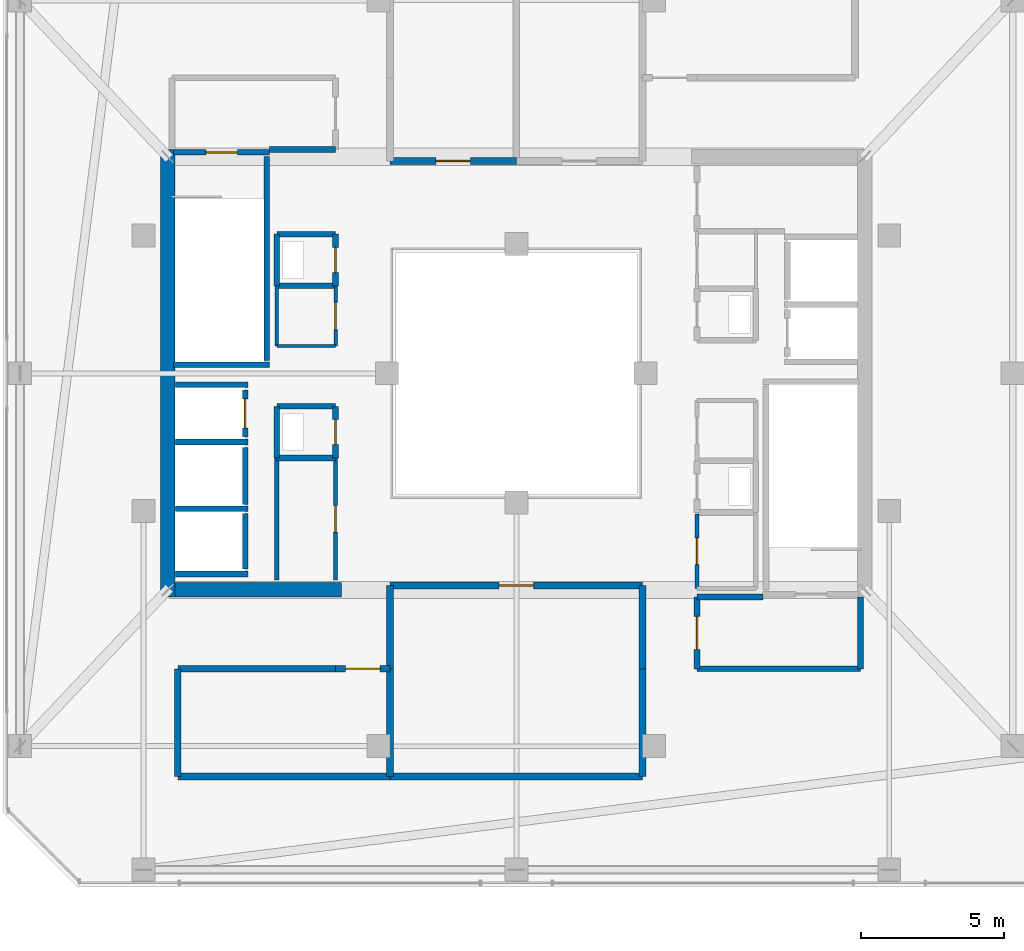
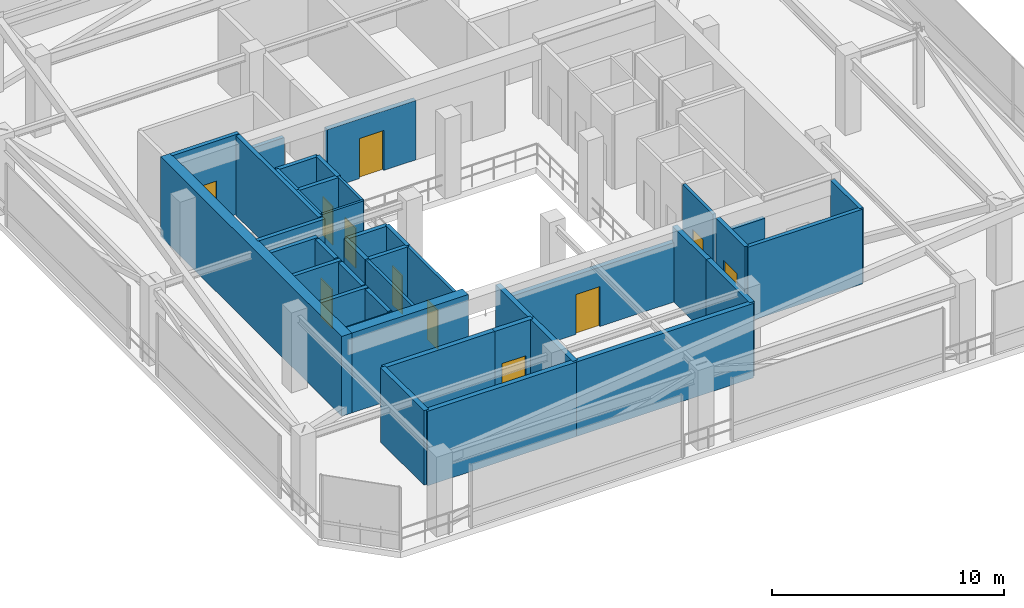
# One storey, part 43 of 47: 42 walls, 11 doors, 11 openings.
"""IFC4 building model written with IfcOpenShell, lengths in metres."""

from ifc_helpers import new_model, si_unit, direction, frame, frame_2d, origin, place, context, subcontext, project, spatial, rectangle, extrude, material, layer, layer_set, type_object, element, fill, save


model = new_model("IFC4")

# Units and contexts
model_context = context("Model", 3, precision=1e-05, world=origin(), true_north=direction((0.0, 1.0)))
body_context = subcontext(model_context, "Body", "Model", "MODEL_VIEW")
ifc_project = project(units=[si_unit("LENGTHUNIT", "METRE"), si_unit("AREAUNIT", "SQUARE_METRE"), si_unit("VOLUMEUNIT", "CUBIC_METRE"), si_unit("PLANEANGLEUNIT", "RADIAN"), si_unit("MASSUNIT", "GRAM", prefix="KILO")], contexts=[model_context])

# Site, building, storey
site_placement = place(None, origin())
site = spatial("IfcSite", under=ifc_project, at=site_placement, CompositionType="ELEMENT")
building_placement = place(site_placement, origin())
building = spatial("IfcBuilding", under=site, at=building_placement, Name="Thornwick Lancets Civic Towers", CompositionType="ELEMENT")
storey_placement = place(building_placement, frame((0.0, 0.0, 279.89990234375)))
storey = spatial("IfcBuildingStorey", under=building, at=storey_placement, Name="C01", CompositionType="ELEMENT", Elevation=279.89990234375)

# Wall, opening, door
ifc_material_1 = material(Name="Concrete blockwork C40/50", Category="masonry")
ifc_layer_1 = layer(ifc_material_1, 0.199951171875, Name="Concrete blockwork C40/50")
ifc_layer_set_1 = layer_set([ifc_layer_1], Name="Concrete blockwork C40/50")
wall_type_1 = type_object("IfcWallType", Name="WALL_COMP_200", PredefinedType="STANDARD", material=ifc_layer_set_1)
wall_1_placement = place(storey_placement, frame((79.050048828125, 24.780029296875, 0.0), z_axis=(0.0, 0.0, 1.0), x_axis=(0.0, 1.0, 0.0)))
wall_1 = element("IfcWall", 1, at=wall_1_placement, inside=storey, type_object=wall_type_1, Name="C01 Hoistway Front Wall FL-B2", PredefinedType="STANDARD", context=body_context, shape_type="SweptSolid", body=[
    extrude(rectangle(XDim=1.639892578125, YDim=0.199951171875, at=frame_2d((0.81982421875, 0.0))), origin(), (0.0, 0.0, 1.0), 3.920166015625),
])
opening_1_placement = place(wall_1_placement, frame((0.31005859375, 0.0, 0.0)))
opening_1 = element("IfcOpeningElement", 2, at=opening_1_placement, cuts=wall_1, Name="Opening LD-FL-B2", PredefinedType="OPENING", context=body_context, shape_type="SweptSolid", body=[
    extrude(rectangle(XDim=1.02001953125, YDim=2.06005859375, at=frame_2d((0.510009765625, 1.030029296875))), frame((0.0, 0.10986328125, 0.0), z_axis=(0.0, -1.0, 0.0), x_axis=(1.0, 0.0, 0.0)), (0.0, 0.0, 1.0), 0.219970703125),
])
ifc_material_2 = material(Name="Brushed bronze stainless steel", Category="steel")
door_type_1 = type_object("IfcDoorType", Name="DOOR_LIFT_SLIDE", OperationType="SLIDING_TO_LEFT", PredefinedType="DOOR", material=ifc_material_2)
door_1_placement = place(opening_1_placement, origin())
door_1 = element("IfcDoor", 3, at=door_1_placement, inside=storey, type_object=door_type_1, Name="C01 Sliding Lift Landing Door LD-FL-B2", OperationType="SLIDING_TO_LEFT", OverallHeight=2.06005859375, OverallWidth=1.02001953125, PredefinedType="DOOR", context=body_context, shape_type="SweptSolid", body=[
    extrude(rectangle(XDim=1.02001953125, YDim=2.06005859375, at=frame_2d((0.510009765625, 1.030029296875))), frame((0.0, 0.02490234375, 0.0), z_axis=(0.0, -1.0, 0.0), x_axis=(1.0, 0.0, 0.0)), (0.0, 0.0, 1.0), 0.050048828125),
])
fill(opening_1, door_1)

# Walls
wall_2_placement = place(storey_placement, frame((79.050048828125, 22.429931640625, 0.0), z_axis=(0.0, 0.0, 1.0), x_axis=(0.0, 1.0, 0.0)))
element("IfcWall", 4, at=wall_2_placement, inside=storey, type_object=wall_type_1, Name="C01 Hoistway Front Wall PL-BH2", PredefinedType="STANDARD", context=body_context, shape_type="SweptSolid", body=[
    extrude(rectangle(XDim=1.989990234375, YDim=0.199951171875, at=frame_2d((0.9951171875, 0.0))), origin(), (0.0, 0.0, 1.0), 3.920166015625),
])
wall_3_placement = place(storey_placement, frame((79.050048828125, 20.179931640625, 0.0), z_axis=(0.0, 0.0, 1.0), x_axis=(0.0, 1.0, 0.0)))
element("IfcWall", 5, at=wall_3_placement, inside=storey, type_object=wall_type_1, Name="C01 Hoistway Front Wall PL-BH3", PredefinedType="STANDARD", context=body_context, shape_type="SweptSolid", body=[
    extrude(rectangle(XDim=1.940185546875, YDim=0.199951171875, at=frame_2d((0.97021484375, 0.0))), origin(), (0.0, 0.0, 1.0), 3.920166015625),
])
for number, where, z_axis, x_axis, name in (
    (6, (76.612060546875, 26.60009765625, 0.0), (0.0, 0.0, 1.0), (1.0, 0.0, 0.0), "C01 Hoistway Shaft Wall FL-B2 N"),
    (7, (76.612060546875, 24.60009765625, 0.0), (0.0, 0.0, 1.0), (1.0, 0.0, 0.0), "C01 Hoistway Shaft Wall FL-B2 S"),
    (8, (76.612060546875, 22.27490234375, 0.0), (0.0, 0.0, 1.0), (1.0, 0.0, 0.0), "C01 Hoistway Shaft Wall PL-BH2 S"),
    (9, (76.612060546875, 20.0, 0.0), (0.0, 0.0, 1.0), (1.0, 0.0, 0.0), "C01 Hoistway Shaft Wall PL-BH3 S"),
):
    element("IfcWall", number, at=place(storey_placement, frame(where, z_axis=z_axis, x_axis=x_axis)), inside=storey, type_object=wall_type_1, Name=name, PredefinedType="STANDARD", context=body_context, shape_type="SweptSolid", body=[
        extrude(rectangle(XDim=2.535888671875, YDim=0.199951171875, at=frame_2d((1.26806640625, 0.0))), origin(), (0.0, 0.0, 1.0), 3.920166015625),
    ])
wall_4_placement = place(storey_placement, frame((94.800048828125, 16.699951171875, 0.0), z_axis=(0.0, 0.0, 1.0), x_axis=(1.0, 0.0, 0.0)))
element("IfcWall", 10, at=wall_4_placement, inside=storey, type_object=wall_type_1, Name="C01 Partition C01-B-FFLOB1 E1", PredefinedType="STANDARD", context=body_context, shape_type="SweptSolid", body=[
    extrude(rectangle(XDim=5.699951171875, YDim=0.199951171875, at=frame_2d((2.85009765625, 0.0))), origin(), (0.0, 0.0, 1.0), 3.920166015625),
])
wall_5_placement = place(storey_placement, frame((100.5, 16.699951171875, 0.0), z_axis=(0.0, 0.0, 1.0), x_axis=(0.0, 1.0, 0.0)))
element("IfcWall", 11, at=wall_5_placement, inside=storey, type_object=wall_type_1, Name="C01 Partition C01-B-FFLOB1 E2", PredefinedType="STANDARD", context=body_context, shape_type="SweptSolid", body=[
    extrude(rectangle(XDim=2.5, YDim=0.199951171875, at=frame_2d((1.25, 0.0))), origin(), (0.0, 0.0, 1.0), 3.920166015625),
])
wall_6_placement = place(storey_placement, frame((97.10009765625, 19.199951171875, 0.0), z_axis=(0.0, 0.0, 1.0), x_axis=(-1.0, 0.0, 0.0)))
element("IfcWall", 12, at=wall_6_placement, inside=storey, type_object=wall_type_1, Name="C01 Partition C01-B-FFLOB1 E3", PredefinedType="STANDARD", context=body_context, shape_type="SweptSolid", body=[
    extrude(rectangle(XDim=2.300048828125, YDim=0.199951171875, at=frame_2d((1.14990234375, 0.0))), origin(), (0.0, 0.0, 1.0), 3.125),
])

# Wall, opening, door
wall_7_placement = place(storey_placement, frame((94.800048828125, 19.199951171875, 0.0), z_axis=(0.0, 0.0, 1.0), x_axis=(0.0, -1.0, 0.0)))
wall_7 = element("IfcWall", 13, at=wall_7_placement, inside=storey, type_object=wall_type_1, Name="C01 Partition C01-B-FFLOB1 E4", PredefinedType="STANDARD", context=body_context, shape_type="SweptSolid", body=[
    extrude(rectangle(XDim=2.5, YDim=0.199951171875, at=frame_2d((1.25, 0.0))), origin(), (0.0, 0.0, 1.0), 3.920166015625),
])
opening_2_placement = place(wall_7_placement, frame((0.675048828125, 0.0, 0.0)))
opening_2 = element("IfcOpeningElement", 14, at=opening_2_placement, cuts=wall_7, Name="Opening D-C01-3457", PredefinedType="OPENING", context=body_context, shape_type="SweptSolid", body=[
    extrude(rectangle(XDim=1.14990234375, YDim=2.10009765625, at=frame_2d((0.574951171875, 1.050048828125))), frame((0.0, 0.10986328125, 0.0), z_axis=(0.0, -1.0, 0.0), x_axis=(1.0, 0.0, 0.0)), (0.0, 0.0, 1.0), 0.219970703125),
])
ifc_material_3 = material(Name="Glazed fire-resisting steel", Category="steel")
door_type_2 = type_object("IfcDoorType", Name="DOOR_LOBBY_FD60", OperationType="NOTDEFINED", PredefinedType="DOOR", material=ifc_material_3)
door_2_placement = place(opening_2_placement, origin())
door_2 = element("IfcDoor", 15, at=door_2_placement, inside=storey, type_object=door_type_2, Name="C01 East Firefighting Lobby 1 Door", OperationType="SINGLE_SWING_RIGHT", OverallHeight=2.10009765625, OverallWidth=1.14990234375, PredefinedType="DOOR", context=body_context, shape_type="SweptSolid", body=[
    extrude(rectangle(XDim=1.14990234375, YDim=2.10009765625, at=frame_2d((0.574951171875, 1.050048828125))), frame((0.0, 0.02490234375, 0.0), z_axis=(0.0, -1.0, 0.0), x_axis=(1.0, 0.0, 0.0)), (0.0, 0.0, 1.0), 0.050048828125),
])
fill(opening_2, door_2)

# Walls
wall_8_placement = place(storey_placement, frame((79.89990234375, 34.800048828125, 0.0), z_axis=(0.0, 0.0, 1.0), x_axis=(1.0, 0.0, 0.0)))
element("IfcWall", 16, at=wall_8_placement, inside=storey, type_object=wall_type_1, Name="C01 Partition C01-B-FFLOB2 E1", PredefinedType="STANDARD", context=body_context, shape_type="SweptSolid", body=[
    extrude(rectangle(XDim=2.300048828125, YDim=0.199951171875, at=frame_2d((1.14990234375, 0.0))), origin(), (0.0, 0.0, 1.0), 3.125),
])
wall_9_placement = place(storey_placement, frame((80.14990234375, 24.050048828125, 0.0), z_axis=(0.0, 0.0, 1.0), x_axis=(1.0, 0.0, 0.0)))
element("IfcWall", 17, at=wall_9_placement, inside=storey, type_object=wall_type_1, Name="C01 Partition C01-B-DUCT2 E1", PredefinedType="STANDARD", context=body_context, shape_type="SweptSolid", body=[
    extrude(rectangle(XDim=2.050048828125, YDim=0.199951171875, at=frame_2d((1.02490234375, 0.0))), origin(), (0.0, 0.0, 1.0), 3.920166015625),
])

# Wall, opening, door
wall_10_placement = place(storey_placement, frame((82.199951171875, 24.050048828125, 0.0), z_axis=(0.0, 0.0, 1.0), x_axis=(0.0, 1.0, 0.0)))
wall_10 = element("IfcWall", 18, at=wall_10_placement, inside=storey, type_object=wall_type_1, Name="C01 Partition C01-B-DUCT2 E2", PredefinedType="STANDARD", context=body_context, shape_type="SweptSolid", body=[
    extrude(rectangle(XDim=1.800048828125, YDim=0.199951171875, at=frame_2d((0.89990234375, 0.0))), origin(), (0.0, 0.0, 1.0), 3.920166015625),
])
opening_3_placement = place(wall_10_placement, frame((0.4599609375, 0.0, 0.0)))
opening_3 = element("IfcOpeningElement", 19, at=opening_3_placement, cuts=wall_10, Name="Opening D-C01-3461", PredefinedType="OPENING", context=body_context, shape_type="SweptSolid", body=[
    extrude(rectangle(XDim=0.8798828125, YDim=2.0400390625, at=frame_2d((0.43994140625, 1.02001953125))), frame((0.0, 0.10986328125, 0.0), z_axis=(0.0, -1.0, 0.0), x_axis=(1.0, 0.0, 0.0)), (0.0, 0.0, 1.0), 0.219970703125),
])
ifc_material_4 = material(Name="Steel riser access doorset", Category="steel")
door_type_3 = type_object("IfcDoorType", Name="DOOR_RISER_850", OperationType="NOTDEFINED", PredefinedType="DOOR", material=ifc_material_4)
door_3_placement = place(opening_3_placement, origin())
door_3 = element("IfcDoor", 20, at=door_3_placement, inside=storey, type_object=door_type_3, Name="C01 West Service Duct 2 Door", OperationType="SINGLE_SWING_RIGHT", OverallHeight=2.0400390625, OverallWidth=0.8798828125, PredefinedType="DOOR", context=body_context, shape_type="SweptSolid", body=[
    extrude(rectangle(XDim=0.8798828125, YDim=2.0400390625, at=frame_2d((0.43994140625, 1.02001953125))), frame((0.0, 0.02490234375, 0.0), z_axis=(0.0, -1.0, 0.0), x_axis=(1.0, 0.0, 0.0)), (0.0, 0.0, 1.0), 0.050048828125),
])
fill(opening_3, door_3)

# Walls
wall_11_placement = place(storey_placement, frame((82.199951171875, 25.85009765625, 0.0), z_axis=(0.0, 0.0, 1.0), x_axis=(-1.0, 0.0, 0.0)))
element("IfcWall", 21, at=wall_11_placement, inside=storey, type_object=wall_type_1, Name="C01 Partition C01-B-DUCT2 E3", PredefinedType="STANDARD", context=body_context, shape_type="SweptSolid", body=[
    extrude(rectangle(XDim=2.050048828125, YDim=0.199951171875, at=frame_2d((1.02490234375, 0.0))), origin(), (0.0, 0.0, 1.0), 3.920166015625),
])
wall_12_placement = place(storey_placement, frame((80.14990234375, 25.85009765625, 0.0), z_axis=(0.0, 0.0, 1.0), x_axis=(0.0, -1.0, 0.0)))
element("IfcWall", 22, at=wall_12_placement, inside=storey, type_object=wall_type_1, Name="C01 Partition C01-B-DUCT2 E4", PredefinedType="STANDARD", context=body_context, shape_type="SweptSolid", body=[
    extrude(rectangle(XDim=1.800048828125, YDim=0.199951171875, at=frame_2d((0.89990234375, 0.0))), origin(), (0.0, 0.0, 1.0), 3.920166015625),
])
wall_13_placement = place(storey_placement, frame((80.14990234375, 30.050048828125, 0.0), z_axis=(0.0, 0.0, 1.0), x_axis=(1.0, 0.0, 0.0)))
element("IfcWall", 23, at=wall_13_placement, inside=storey, type_object=wall_type_1, Name="C01 Partition C01-B-RISER2 E1", PredefinedType="STANDARD", context=body_context, shape_type="SweptSolid", body=[
    extrude(rectangle(XDim=2.050048828125, YDim=0.199951171875, at=frame_2d((1.02490234375, 0.0))), origin(), (0.0, 0.0, 1.0), 3.920166015625),
])

# Wall, opening, door
wall_14_placement = place(storey_placement, frame((82.199951171875, 30.050048828125, 0.0), z_axis=(0.0, 0.0, 1.0), x_axis=(0.0, 1.0, 0.0)))
wall_14 = element("IfcWall", 24, at=wall_14_placement, inside=storey, type_object=wall_type_1, Name="C01 Partition C01-B-RISER2 E2", PredefinedType="STANDARD", context=body_context, shape_type="SweptSolid", body=[
    extrude(rectangle(XDim=1.800048828125, YDim=0.199951171875, at=frame_2d((0.89990234375, 0.0))), origin(), (0.0, 0.0, 1.0), 3.920166015625),
])
opening_4_placement = place(wall_14_placement, frame((0.4599609375, 0.0, 0.0)))
opening_4 = element("IfcOpeningElement", 25, at=opening_4_placement, cuts=wall_14, Name="Opening D-C01-3462", PredefinedType="OPENING", context=body_context, shape_type="SweptSolid", body=[
    extrude(rectangle(XDim=0.8798828125, YDim=2.0400390625, at=frame_2d((0.43994140625, 1.02001953125))), frame((0.0, 0.10986328125, 0.0), z_axis=(0.0, -1.0, 0.0), x_axis=(1.0, 0.0, 0.0)), (0.0, 0.0, 1.0), 0.219970703125),
])
door_4_placement = place(opening_4_placement, origin())
door_4 = element("IfcDoor", 26, at=door_4_placement, inside=storey, type_object=door_type_3, Name="C01 West Service Riser 2 Door", OperationType="SINGLE_SWING_LEFT", OverallHeight=2.0400390625, OverallWidth=0.8798828125, PredefinedType="DOOR", context=body_context, shape_type="SweptSolid", body=[
    extrude(rectangle(XDim=0.8798828125, YDim=2.0400390625, at=frame_2d((0.43994140625, 1.02001953125))), frame((0.0, 0.02490234375, 0.0), z_axis=(0.0, -1.0, 0.0), x_axis=(1.0, 0.0, 0.0)), (0.0, 0.0, 1.0), 0.050048828125),
])
fill(opening_4, door_4)

# Walls
wall_15_placement = place(storey_placement, frame((82.199951171875, 31.85009765625, 0.0), z_axis=(0.0, 0.0, 1.0), x_axis=(-1.0, 0.0, 0.0)))
element("IfcWall", 27, at=wall_15_placement, inside=storey, type_object=wall_type_1, Name="C01 Partition C01-B-RISER2 E3", PredefinedType="STANDARD", context=body_context, shape_type="SweptSolid", body=[
    extrude(rectangle(XDim=2.050048828125, YDim=0.199951171875, at=frame_2d((1.02490234375, 0.0))), origin(), (0.0, 0.0, 1.0), 3.920166015625),
])
wall_16_placement = place(storey_placement, frame((80.14990234375, 31.85009765625, 0.0), z_axis=(0.0, 0.0, 1.0), x_axis=(0.0, -1.0, 0.0)))
element("IfcWall", 28, at=wall_16_placement, inside=storey, type_object=wall_type_1, Name="C01 Partition C01-B-RISER2 E4", PredefinedType="STANDARD", context=body_context, shape_type="SweptSolid", body=[
    extrude(rectangle(XDim=1.800048828125, YDim=0.199951171875, at=frame_2d((0.89990234375, 0.0))), origin(), (0.0, 0.0, 1.0), 3.920166015625),
])

# Wall, opening, door
ifc_layer_2 = layer(ifc_material_1, 0.239990234375, Name="Concrete blockwork C40/50")
ifc_layer_set_2 = layer_set([ifc_layer_2], Name="Concrete blockwork C40/50")
wall_type_2 = type_object("IfcWallType", Name="WALL_COMP_240", PredefinedType="STANDARD", material=ifc_layer_set_2)
wall_17_placement = place(storey_placement, frame((88.5, 34.39990234375, 0.0), z_axis=(0.0, 0.0, 1.0), x_axis=(-1.0, 0.0, 0.0)))
wall_17 = element("IfcWall", 29, at=wall_17_placement, inside=storey, type_object=wall_type_2, Name="C01 Partition C01-B-PL-PRS E4", PredefinedType="STANDARD", context=body_context, shape_type="SweptSolid", body=[
    extrude(rectangle(XDim=4.39990234375, YDim=0.239990234375, at=frame_2d((2.199951171875, 0.0))), origin(), (0.0, 0.0, 1.0), 3.125),
])
opening_5_placement = place(wall_17_placement, frame((1.60009765625, 0.0, 0.0)))
opening_5 = element("IfcOpeningElement", 30, at=opening_5_placement, cuts=wall_17, Name="Opening D-C01-3475", PredefinedType="OPENING", context=body_context, shape_type="SweptSolid", body=[
    extrude(rectangle(XDim=1.199951171875, YDim=2.10009765625, at=frame_2d((0.60009765625, 1.050048828125))), frame((0.0, 0.1298828125, 0.0), z_axis=(0.0, -1.0, 0.0), x_axis=(1.0, 0.0, 0.0)), (0.0, 0.0, 1.0), 0.260009765625),
])
ifc_material_5 = material(Name="Steel plant room doorset", Category="steel")
door_type_4 = type_object("IfcDoorType", Name="DOOR_PLANT_1200", OperationType="NOTDEFINED", PredefinedType="DOOR", material=ifc_material_5)
door_5_placement = place(opening_5_placement, origin())
door_5 = element("IfcDoor", 31, at=door_5_placement, inside=storey, type_object=door_type_4, Name="C01 Tower B Pressurisation Air Handling Plant Room Door", OperationType="SINGLE_SWING_RIGHT", OverallHeight=2.10009765625, OverallWidth=1.199951171875, PredefinedType="DOOR", context=body_context, shape_type="SweptSolid", body=[
    extrude(rectangle(XDim=1.199951171875, YDim=2.10009765625, at=frame_2d((0.60009765625, 1.050048828125))), frame((0.0, 0.02490234375, 0.0), z_axis=(0.0, -1.0, 0.0), x_axis=(1.0, 0.0, 0.0)), (0.0, 0.0, 1.0), 0.050048828125),
])
fill(opening_5, door_5)

# Walls
wall_18_placement = place(storey_placement, frame((92.89990234375, 19.60009765625, 0.0), z_axis=(0.0, 0.0, 1.0), x_axis=(0.0, -1.0, 0.0)))
element("IfcWall", 32, at=wall_18_placement, inside=storey, type_object=wall_type_2, Name="C01 Partition C01-B-PL-AHU E1", PredefinedType="STANDARD", context=body_context, shape_type="SweptSolid", body=[
    extrude(rectangle(XDim=2.900146484375, YDim=0.239990234375, at=frame_2d((1.4501953125, 0.0))), origin(), (0.0, 0.0, 1.0), 3.920166015625),
])
wall_19_placement = place(storey_placement, frame((92.89990234375, 16.699951171875, 0.0), z_axis=(0.0, 0.0, 1.0), x_axis=(0.0, -1.0, 0.0)))
element("IfcWall", 33, at=wall_19_placement, inside=storey, type_object=wall_type_2, Name="C01 Partition C01-B-PL-AHU E2", PredefinedType="STANDARD", context=body_context, shape_type="SweptSolid", body=[
    extrude(rectangle(XDim=3.75, YDim=0.239990234375, at=frame_2d((1.875, 0.0))), origin(), (0.0, 0.0, 1.0), 3.920166015625),
])
wall_20_placement = place(storey_placement, frame((92.89990234375, 12.949951171875, 0.0), z_axis=(0.0, 0.0, 1.0), x_axis=(-1.0, 0.0, 0.0)))
element("IfcWall", 34, at=wall_20_placement, inside=storey, type_object=wall_type_2, Name="C01 Partition C01-B-PL-AHU E3", PredefinedType="STANDARD", context=body_context, shape_type="SweptSolid", body=[
    extrude(rectangle(XDim=8.7998046875, YDim=0.239990234375, at=frame_2d((4.39990234375, 0.0))), origin(), (0.0, 0.0, 1.0), 3.920166015625),
])
wall_21_placement = place(storey_placement, frame((84.10009765625, 12.949951171875, 0.0), z_axis=(0.0, 0.0, 1.0), x_axis=(0.0, 1.0, 0.0)))
element("IfcWall", 35, at=wall_21_placement, inside=storey, type_object=wall_type_2, Name="C01 Partition C01-B-PL-AHU E4", PredefinedType="STANDARD", context=body_context, shape_type="SweptSolid", body=[
    extrude(rectangle(XDim=3.75, YDim=0.239990234375, at=frame_2d((1.875, 0.0))), origin(), (0.0, 0.0, 1.0), 3.920166015625),
])
wall_22_placement = place(storey_placement, frame((84.10009765625, 16.699951171875, 0.0), z_axis=(0.0, 0.0, 1.0), x_axis=(0.0, 1.0, 0.0)))
element("IfcWall", 36, at=wall_22_placement, inside=storey, type_object=wall_type_2, Name="C01 Partition C01-B-PL-AHU E5", PredefinedType="STANDARD", context=body_context, shape_type="SweptSolid", body=[
    extrude(rectangle(XDim=2.900146484375, YDim=0.239990234375, at=frame_2d((1.4501953125, 0.0))), origin(), (0.0, 0.0, 1.0), 3.920166015625),
])

# Wall, opening, door
wall_23_placement = place(storey_placement, frame((84.10009765625, 19.60009765625, 0.0), z_axis=(0.0, 0.0, 1.0), x_axis=(1.0, 0.0, 0.0)))
wall_23 = element("IfcWall", 37, at=wall_23_placement, inside=storey, type_object=wall_type_2, Name="C01 Partition C01-B-PL-AHU E6", PredefinedType="STANDARD", context=body_context, shape_type="SweptSolid", body=[
    extrude(rectangle(XDim=8.7998046875, YDim=0.239990234375, at=frame_2d((4.39990234375, 0.0))), origin(), (0.0, 0.0, 1.0), 3.125),
])
opening_6_placement = place(wall_23_placement, frame((3.800048828125, 0.0, 0.0)))
opening_6 = element("IfcOpeningElement", 38, at=opening_6_placement, cuts=wall_23, Name="Opening D-C01-3476", PredefinedType="OPENING", context=body_context, shape_type="SweptSolid", body=[
    extrude(rectangle(XDim=1.199951171875, YDim=2.10009765625, at=frame_2d((0.60009765625, 1.050048828125))), frame((0.0, 0.1298828125, 0.0), z_axis=(0.0, -1.0, 0.0), x_axis=(1.0, 0.0, 0.0)), (0.0, 0.0, 1.0), 0.260009765625),
])
door_6_placement = place(opening_6_placement, origin())
door_6 = element("IfcDoor", 39, at=door_6_placement, inside=storey, type_object=door_type_4, Name="C01 Tower B AHU and Ventilation Plant Room Door", OperationType="SINGLE_SWING_LEFT", OverallHeight=2.10009765625, OverallWidth=1.199951171875, PredefinedType="DOOR", context=body_context, shape_type="SweptSolid", body=[
    extrude(rectangle(XDim=1.199951171875, YDim=2.10009765625, at=frame_2d((0.60009765625, 1.050048828125))), frame((0.0, 0.02490234375, 0.0), z_axis=(0.0, -1.0, 0.0), x_axis=(1.0, 0.0, 0.0)), (0.0, 0.0, 1.0), 0.050048828125),
])
fill(opening_6, door_6)

wall_24_placement = place(storey_placement, frame((82.199951171875, 16.699951171875, 0.0), z_axis=(0.0, 0.0, 1.0), x_axis=(1.0, 0.0, 0.0)))
wall_24 = element("IfcWall", 40, at=wall_24_placement, inside=storey, type_object=wall_type_2, Name="C01 Partition C01-B-PL-ELC E1", PredefinedType="STANDARD", context=body_context, shape_type="SweptSolid", body=[
    extrude(rectangle(XDim=1.900146484375, YDim=0.239990234375, at=frame_2d((0.9501953125, 0.0))), origin(), (0.0, 0.0, 1.0), 3.920166015625),
])
opening_7_placement = place(wall_24_placement, frame((0.35009765625, 0.0, 0.0)))
opening_7 = element("IfcOpeningElement", 41, at=opening_7_placement, cuts=wall_24, Name="Opening D-C01-3478", PredefinedType="OPENING", context=body_context, shape_type="SweptSolid", body=[
    extrude(rectangle(XDim=1.199951171875, YDim=2.10009765625, at=frame_2d((0.60009765625, 1.050048828125))), frame((0.0, 0.1298828125, 0.0), z_axis=(0.0, -1.0, 0.0), x_axis=(1.0, 0.0, 0.0)), (0.0, 0.0, 1.0), 0.260009765625),
])
door_7_placement = place(opening_7_placement, origin())
door_7 = element("IfcDoor", 42, at=door_7_placement, inside=storey, type_object=door_type_4, Name="C01 Tower B LV Switchgear Room Door", OperationType="SINGLE_SWING_LEFT", OverallHeight=2.10009765625, OverallWidth=1.199951171875, PredefinedType="DOOR", context=body_context, shape_type="SweptSolid", body=[
    extrude(rectangle(XDim=1.199951171875, YDim=2.10009765625, at=frame_2d((0.60009765625, 1.050048828125))), frame((0.0, 0.02490234375, 0.0), z_axis=(0.0, -1.0, 0.0), x_axis=(1.0, 0.0, 0.0)), (0.0, 0.0, 1.0), 0.050048828125),
])
fill(opening_7, door_7)

# Walls
wall_25_placement = place(storey_placement, frame((84.10009765625, 12.949951171875, 0.0), z_axis=(0.0, 0.0, 1.0), x_axis=(-1.0, 0.0, 0.0)))
element("IfcWall", 43, at=wall_25_placement, inside=storey, type_object=wall_type_2, Name="C01 Partition C01-B-PL-ELC E3", PredefinedType="STANDARD", context=body_context, shape_type="SweptSolid", body=[
    extrude(rectangle(XDim=7.400146484375, YDim=0.239990234375, at=frame_2d((3.7001953125, 0.0))), origin(), (0.0, 0.0, 1.0), 3.920166015625),
])
wall_26_placement = place(storey_placement, frame((76.699951171875, 12.949951171875, 0.0), z_axis=(0.0, 0.0, 1.0), x_axis=(0.0, 1.0, 0.0)))
element("IfcWall", 44, at=wall_26_placement, inside=storey, type_object=wall_type_2, Name="C01 Partition C01-B-PL-ELC E4", PredefinedType="STANDARD", context=body_context, shape_type="SweptSolid", body=[
    extrude(rectangle(XDim=3.75, YDim=0.239990234375, at=frame_2d((1.875, 0.0))), origin(), (0.0, 0.0, 1.0), 3.920166015625),
])
wall_27_placement = place(storey_placement, frame((76.699951171875, 16.699951171875, 0.0), z_axis=(0.0, 0.0, 1.0), x_axis=(1.0, 0.0, 0.0)))
element("IfcWall", 45, at=wall_27_placement, inside=storey, type_object=wall_type_2, Name="C01 Partition C01-B-PL-ELC E5", PredefinedType="STANDARD", context=body_context, shape_type="SweptSolid", body=[
    extrude(rectangle(XDim=5.5, YDim=0.239990234375, at=frame_2d((2.75, 0.0))), origin(), (0.0, 0.0, 1.0), 3.920166015625),
])
ifc_material_6 = material(Name="Concrete C50/60", Category="concrete")
ifc_layer_3 = layer(ifc_material_6, 0.5, Name="Concrete C50/60")
ifc_layer_set_3 = layer_set([ifc_layer_3], Name="Concrete C50/60")
wall_type_3 = type_object("IfcWallType", Name="WALL_CORE_500", PredefinedType="SHEAR", material=ifc_layer_set_3)
wall_28_placement = place(storey_placement, frame((76.35009765625, 19.199951171875, 0.0), z_axis=(0.0, 0.0, 1.0), x_axis=(0.0, 1.0, 0.0)))
element("IfcWall", 46, at=wall_28_placement, inside=storey, type_object=wall_type_3, Name="C01 Split Core B2 Shear Wall W", PredefinedType="SHEAR", context=body_context, shape_type="SweptSolid", body=[
    extrude(rectangle(XDim=15.60009765625, YDim=0.5, at=frame_2d((7.800048828125, 0.0))), origin(), (0.0, 0.0, 1.0), 4.2001953125),
])
wall_29_placement = place(storey_placement, frame((76.60009765625, 19.449951171875, 0.0), z_axis=(0.0, 0.0, 1.0), x_axis=(1.0, 0.0, 0.0)))
element("IfcWall", 47, at=wall_29_placement, inside=storey, type_object=wall_type_3, Name="C01 Split Core B2 Shear Wall S", PredefinedType="SHEAR", context=body_context, shape_type="SweptSolid", body=[
    extrude(rectangle(XDim=5.7998046875, YDim=0.5, at=frame_2d((2.89990234375, 0.0))), origin(), (0.0, 0.0, 1.0), 4.2001953125),
])
ifc_material_7 = material(Name="Acoustic gypsum board partition")
ifc_layer_4 = layer(ifc_material_7, 0.1201171875, Name="Acoustic gypsum board partition")
ifc_layer_set_4 = layer_set([ifc_layer_4], Name="Acoustic gypsum board partition")
wall_type_4 = type_object("IfcWallType", Name="WALL_PART_120", PredefinedType="PARTITIONING", material=ifc_layer_set_4)
wall_30_placement = place(storey_placement, frame((82.199951171875, 27.949951171875, 0.0), z_axis=(0.0, 0.0, 1.0), x_axis=(-1.0, 0.0, 0.0)))
element("IfcWall", 48, at=wall_30_placement, inside=storey, type_object=wall_type_4, Name="C01 Partition C01-B-ITR E1", PredefinedType="PARTITIONING", context=body_context, shape_type="SweptSolid", body=[
    extrude(rectangle(XDim=2.050048828125, YDim=0.1201171875, at=frame_2d((1.02490234375, 0.0))), origin(), (0.0, 0.0, 1.0), 3.920166015625),
])
wall_31_placement = place(storey_placement, frame((80.14990234375, 27.949951171875, 0.0), z_axis=(0.0, 0.0, 1.0), x_axis=(0.0, 1.0, 0.0)))
element("IfcWall", 49, at=wall_31_placement, inside=storey, type_object=wall_type_4, Name="C01 Partition C01-B-ITR E2", PredefinedType="PARTITIONING", context=body_context, shape_type="SweptSolid", body=[
    extrude(rectangle(XDim=2.10009765625, YDim=0.1201171875, at=frame_2d((1.050048828125, 0.0))), origin(), (0.0, 0.0, 1.0), 3.920166015625),
])

# Wall, opening, door
wall_32_placement = place(storey_placement, frame((82.199951171875, 30.050048828125, 0.0), z_axis=(0.0, 0.0, 1.0), x_axis=(0.0, -1.0, 0.0)))
wall_32 = element("IfcWall", 50, at=wall_32_placement, inside=storey, type_object=wall_type_4, Name="C01 Partition C01-B-ITR E4", PredefinedType="PARTITIONING", context=body_context, shape_type="SweptSolid", body=[
    extrude(rectangle(XDim=2.10009765625, YDim=0.1201171875, at=frame_2d((1.050048828125, 0.0))), origin(), (0.0, 0.0, 1.0), 3.920166015625),
])
opening_8_placement = place(wall_32_placement, frame((0.574951171875, 0.0, 0.0)))
opening_8 = element("IfcOpeningElement", 51, at=opening_8_placement, cuts=wall_32, Name="Opening D-C01-3468", PredefinedType="OPENING", context=body_context, shape_type="SweptSolid", body=[
    extrude(rectangle(XDim=0.949951171875, YDim=2.10009765625, at=frame_2d((0.47509765625, 1.050048828125))), frame((0.0, 0.070068359375, 0.0), z_axis=(0.0, -1.0, 0.0), x_axis=(1.0, 0.0, 0.0)), (0.0, 0.0, 1.0), 0.14013671875),
])
ifc_material_8 = material(Name="European oak acoustic doorset")
door_type_5 = type_object("IfcDoorType", Name="DOOR_OFFICE_950", OperationType="NOTDEFINED", PredefinedType="DOOR", material=ifc_material_8)
door_8_placement = place(opening_8_placement, origin())
door_8 = element("IfcDoor", 52, at=door_8_placement, inside=storey, type_object=door_type_5, Name="C01 Tower B Comms Patch Room Door", OperationType="SINGLE_SWING_LEFT", OverallHeight=2.10009765625, OverallWidth=0.949951171875, PredefinedType="DOOR", context=body_context, shape_type="SweptSolid", body=[
    extrude(rectangle(XDim=0.949951171875, YDim=2.10009765625, at=frame_2d((0.47509765625, 1.050048828125))), frame((0.0, 0.02490234375, 0.0), z_axis=(0.0, -1.0, 0.0), x_axis=(1.0, 0.0, 0.0)), (0.0, 0.0, 1.0), 0.050048828125),
])
fill(opening_8, door_8)

ifc_material_9 = material(Name="Twin-stud acoustic gypsum board")
ifc_layer_5 = layer(ifc_material_9, 0.14990234375, Name="Twin-stud acoustic gypsum board")
ifc_layer_set_5 = layer_set([ifc_layer_5], Name="Twin-stud acoustic gypsum board")
wall_type_5 = type_object("IfcWallType", Name="WALL_PART_150", PredefinedType="PARTITIONING", material=ifc_layer_set_5)
wall_33_placement = place(storey_placement, frame((94.800048828125, 22.10009765625, 0.0), z_axis=(0.0, 0.0, 1.0), x_axis=(0.0, -1.0, 0.0)))
wall_33 = element("IfcWall", 53, at=wall_33_placement, inside=storey, type_object=wall_type_5, Name="C01 Partition C01-B-MWC E4", PredefinedType="PARTITIONING", context=body_context, shape_type="SweptSolid", body=[
    extrude(rectangle(XDim=2.60009765625, YDim=0.14990234375, at=frame_2d((1.300048828125, 0.0))), origin(), (0.0, 0.0, 1.0), 3.920166015625),
])
opening_9_placement = place(wall_33_placement, frame((0.840087890625, 0.0, 0.0)))
opening_9 = element("IfcOpeningElement", 54, at=opening_9_placement, cuts=wall_33, Name="Opening D-C01-3463", PredefinedType="OPENING", context=body_context, shape_type="SweptSolid", body=[
    extrude(rectangle(XDim=0.919921875, YDim=2.080078125, at=frame_2d((0.4599609375, 1.0400390625))), frame((0.0, 0.0849609375, 0.0), z_axis=(0.0, -1.0, 0.0), x_axis=(1.0, 0.0, 0.0)), (0.0, 0.0, 1.0), 0.169921875),
])
ifc_material_10 = material(Name="Moisture-resistant oak doorset")
door_type_6 = type_object("IfcDoorType", Name="DOOR_WC_900", OperationType="NOTDEFINED", PredefinedType="DOOR", material=ifc_material_10)
door_9_placement = place(opening_9_placement, origin())
door_9 = element("IfcDoor", 55, at=door_9_placement, inside=storey, type_object=door_type_6, Name="C01 Tower B Male WC Door", OperationType="SINGLE_SWING_RIGHT", OverallHeight=2.080078125, OverallWidth=0.919921875, PredefinedType="DOOR", context=body_context, shape_type="SweptSolid", body=[
    extrude(rectangle(XDim=0.919921875, YDim=2.080078125, at=frame_2d((0.4599609375, 1.0400390625))), frame((0.0, 0.02490234375, 0.0), z_axis=(0.0, -1.0, 0.0), x_axis=(1.0, 0.0, 0.0)), (0.0, 0.0, 1.0), 0.050048828125),
])
fill(opening_9, door_9)

# Wall
wall_34_placement = place(storey_placement, frame((80.14990234375, 19.800048828125, 0.0), z_axis=(0.0, 0.0, 1.0), x_axis=(0.0, 1.0, 0.0)))
element("IfcWall", 56, at=wall_34_placement, inside=storey, type_object=wall_type_5, Name="C01 Partition C01-B-FWC E2", PredefinedType="PARTITIONING", context=body_context, shape_type="SweptSolid", body=[
    extrude(rectangle(XDim=4.25, YDim=0.14990234375, at=frame_2d((2.125, 0.0))), origin(), (0.0, 0.0, 1.0), 3.920166015625),
])

# Wall, opening, door
wall_35_placement = place(storey_placement, frame((82.199951171875, 24.050048828125, 0.0), z_axis=(0.0, 0.0, 1.0), x_axis=(0.0, -1.0, 0.0)))
wall_35 = element("IfcWall", 57, at=wall_35_placement, inside=storey, type_object=wall_type_5, Name="C01 Partition C01-B-FWC E4", PredefinedType="PARTITIONING", context=body_context, shape_type="SweptSolid", body=[
    extrude(rectangle(XDim=4.25, YDim=0.14990234375, at=frame_2d((2.125, 0.0))), origin(), (0.0, 0.0, 1.0), 3.920166015625),
])
opening_10_placement = place(wall_35_placement, frame((1.6650390625, 0.0, 0.0)))
opening_10 = element("IfcOpeningElement", 58, at=opening_10_placement, cuts=wall_35, Name="Opening D-C01-3467", PredefinedType="OPENING", context=body_context, shape_type="SweptSolid", body=[
    extrude(rectangle(XDim=0.919921875, YDim=2.080078125, at=frame_2d((0.4599609375, 1.0400390625))), frame((0.0, 0.0849609375, 0.0), z_axis=(0.0, -1.0, 0.0), x_axis=(1.0, 0.0, 0.0)), (0.0, 0.0, 1.0), 0.169921875),
])
door_10_placement = place(opening_10_placement, origin())
door_10 = element("IfcDoor", 59, at=door_10_placement, inside=storey, type_object=door_type_6, Name="C01 Tower B Female WC Door", OperationType="SINGLE_SWING_RIGHT", OverallHeight=2.080078125, OverallWidth=0.919921875, PredefinedType="DOOR", context=body_context, shape_type="SweptSolid", body=[
    extrude(rectangle(XDim=0.919921875, YDim=2.080078125, at=frame_2d((0.4599609375, 1.0400390625))), frame((0.0, 0.02490234375, 0.0), z_axis=(0.0, -1.0, 0.0), x_axis=(1.0, 0.0, 0.0)), (0.0, 0.0, 1.0), 0.050048828125),
])
fill(opening_10, door_10)

ifc_material_11 = material(Name="Concrete C40/50", Category="concrete")
ifc_layer_6 = layer(ifc_material_11, 0.199951171875, Name="Concrete C40/50")
ifc_layer_set_6 = layer_set([ifc_layer_6], Name="Concrete C40/50")
wall_type_6 = type_object("IfcWallType", Name="WALL_SHAFT_200", PredefinedType="SHEAR", material=ifc_layer_set_6)
wall_36_placement = place(storey_placement, frame((76.550048828125, 34.699951171875, 0.0), z_axis=(0.0, 0.0, 1.0), x_axis=(1.0, 0.0, 0.0)))
wall_36 = element("IfcWall", 60, at=wall_36_placement, inside=storey, type_object=wall_type_6, Name="C01 ST-B2 Fire Stair Core Wall NEAR", PredefinedType="SHEAR", context=body_context, shape_type="SweptSolid", body=[
    extrude(rectangle(XDim=3.349853515625, YDim=0.199951171875, at=frame_2d((1.6748046875, 0.0))), origin(), (0.0, 0.0, 1.0), 4.2001953125),
])
opening_11_placement = place(wall_36_placement, frame((1.125, 0.0, 0.0)))
opening_11 = element("IfcOpeningElement", 61, at=opening_11_placement, cuts=wall_36, Name="Opening D-ST-B2-C01", PredefinedType="OPENING", context=body_context, shape_type="SweptSolid", body=[
    extrude(rectangle(XDim=1.10009765625, YDim=2.10009765625, at=frame_2d((0.550048828125, 1.050048828125))), frame((0.0, 0.10986328125, 0.0), z_axis=(0.0, -1.0, 0.0), x_axis=(1.0, 0.0, 0.0)), (0.0, 0.0, 1.0), 0.219970703125),
])
ifc_material_12 = material(Name="Fire-resisting steel and hardwood", Category="steel")
door_type_7 = type_object("IfcDoorType", Name="DOOR_STAIR_FD60", OperationType="NOTDEFINED", PredefinedType="DOOR", material=ifc_material_12)
door_11_placement = place(opening_11_placement, origin())
door_11 = element("IfcDoor", 62, at=door_11_placement, inside=storey, type_object=door_type_7, Name="C01 ST-B2 Exit Stair Door", OperationType="SINGLE_SWING_LEFT", OverallHeight=2.10009765625, OverallWidth=1.10009765625, PredefinedType="DOOR", context=body_context, shape_type="SweptSolid", body=[
    extrude(rectangle(XDim=1.10009765625, YDim=2.10009765625, at=frame_2d((0.550048828125, 1.050048828125))), frame((0.0, 0.02490234375, 0.0), z_axis=(0.0, -1.0, 0.0), x_axis=(1.0, 0.0, 0.0)), (0.0, 0.0, 1.0), 0.050048828125),
])
fill(opening_11, door_11)

# Walls
wall_37_placement = place(storey_placement, frame((79.89990234375, 27.300048828125, 0.0), z_axis=(0.0, 0.0, 1.0), x_axis=(-1.0, 0.0, 0.0)))
element("IfcWall", 63, at=wall_37_placement, inside=storey, type_object=wall_type_6, Name="C01 ST-B2 Fire Stair Core Wall FAR", PredefinedType="SHEAR", context=body_context, shape_type="SweptSolid", body=[
    extrude(rectangle(XDim=3.349853515625, YDim=0.199951171875, at=frame_2d((1.6748046875, 0.0))), origin(), (0.0, 0.0, 1.0), 4.2001953125),
])
wall_38_placement = place(storey_placement, frame((79.797119140625, 27.449951171875, 0.0), z_axis=(0.0, 0.0, 1.0), x_axis=(0.0, 1.0, 0.0)))
element("IfcWall", 64, at=wall_38_placement, inside=storey, type_object=wall_type_6, Name="C01 ST-B2 Fire Stair Core Wall RIGHT", PredefinedType="SHEAR", context=body_context, shape_type="SweptSolid", body=[
    extrude(rectangle(XDim=7.10009765625, YDim=0.199951171875, at=frame_2d((3.550048828125, 0.0))), origin(), (0.0, 0.0, 1.0), 4.2001953125),
])

save(model, "model.ifc")
